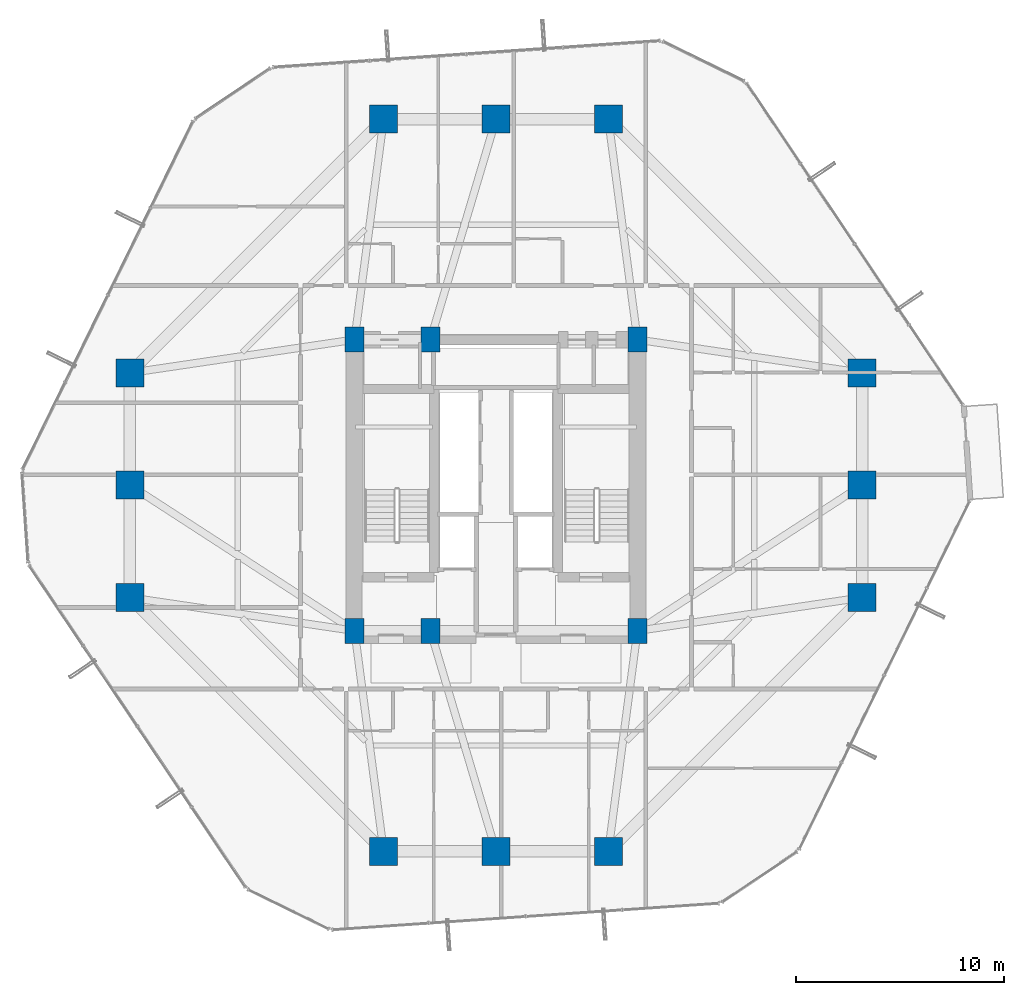
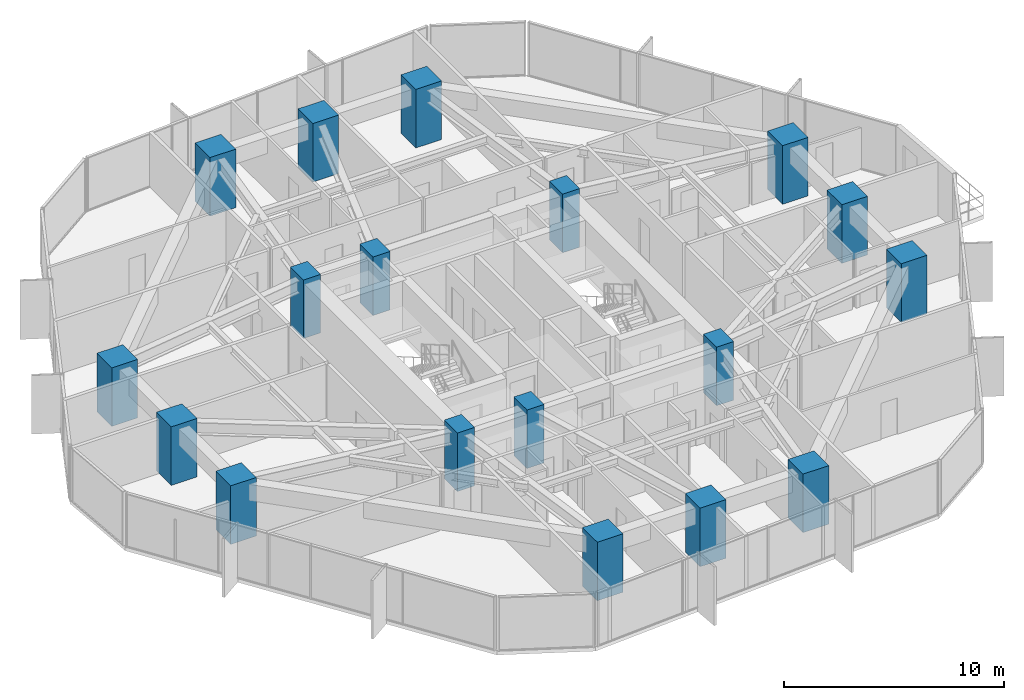
# One storey, part 1 of 37: 18 columns.
"""IFC4 building model written with IfcOpenShell, lengths in metres."""

import ifcopenshell
import ifcopenshell.guid

model = None  # the IFC model being written
_history = None  # IfcOwnerHistory: only IFC2X3 demands one
_inside = {}  # id of a spatial element -> (the spatial element, [elements in it])
_under = {}  # id of a project, library or spatial element -> (it, [spatial elements below it])
_declared = {}  # id of a project -> (the project, [libraries it declares])
_typed = {}  # id of a type object -> (the type object, [elements of that type])
_made_of = {}  # id of a material, layer set ... -> (it, [elements and type objects made of it])


def new_model(schema):
    """Start an empty IFC model of exactly this schema.

    Asked for "IFC4X3", IfcOpenShell would pick the latest addendum, in which some entities
    have other attributes; the version numbers below select the first issue.
    IFC2X3 requires an IfcOwnerHistory on every rooted entity: one is made here for all.
    """
    global model, _history
    if schema == "IFC4X3":
        model = ifcopenshell.file(schema_version=(4, 3, 0, 0))
    else:
        model = ifcopenshell.file(schema=schema)
    _inside.clear()
    _under.clear()
    _declared.clear()
    _typed.clear()
    _made_of.clear()
    _history = None
    if model.schema == "IFC2X3":
        org = make("IfcOrganization", Name="unknown")
        user = make(
            "IfcPersonAndOrganization",
            ThePerson=make("IfcPerson", FamilyName="unknown"),
            TheOrganization=org,
        )
        app = make(
            "IfcApplication",
            ApplicationDeveloper=org,
            Version="unknown",
            ApplicationFullName="unknown",
            ApplicationIdentifier="unknown",
        )
        _history = make(
            "IfcOwnerHistory",
            OwningUser=user,
            OwningApplication=app,
            ChangeAction="ADDED",
            CreationDate=0,
        )
    return model


def make(cls, **values):
    """One entity of the class cls with the attributes given. An attribute that is None is left unset."""
    return model.create_entity(
        cls, **{name: value for name, value in values.items() if value is not None}
    )


def rooted(cls, **values):
    """An entity with a GlobalId (a new one), such as an element, a storey or a relation."""
    return make(cls, GlobalId=ifcopenshell.guid.new(), OwnerHistory=_history, **values)


def si_unit(unit_type, name, prefix=None):
    """IfcSIUnit, for example si_unit("LENGTHUNIT", "METRE", prefix="MILLI")."""
    return make("IfcSIUnit", UnitType=unit_type, Prefix=prefix, Name=name)


def assignment(units):
    """IfcUnitAssignment: the units of a project."""
    return None if units is None else make("IfcUnitAssignment", Units=units)


def point(xyz):
    """IfcCartesianPoint."""
    return None if xyz is None else make("IfcCartesianPoint", Coordinates=xyz)


def direction(xyz):
    """IfcDirection."""
    return None if xyz is None else make("IfcDirection", DirectionRatios=xyz)


def frame(location, z_axis=None, x_axis=None):
    """IfcAxis2Placement3D, a coordinate frame: its origin and axes. An axis left out is left unset."""
    return make(
        "IfcAxis2Placement3D",
        Location=point(location),
        Axis=direction(z_axis),
        RefDirection=direction(x_axis),
    )


def frame_2d(location, x_axis=None):
    """IfcAxis2Placement2D, a coordinate frame in the plane: its origin and x axis."""
    return make(
        "IfcAxis2Placement2D", Location=point(location), RefDirection=direction(x_axis)
    )


def origin():
    """The frame at (0, 0, 0) with its axes left unset."""
    return frame((0.0, 0.0, 0.0))


def origin_2d():
    """The frame at (0, 0) in the plane with its x axis left unset."""
    return frame_2d((0.0, 0.0))


def place(relative_to, where):
    """IfcLocalPlacement: puts the frame where relative to a parent placement (None: the world)."""
    return make(
        "IfcLocalPlacement", PlacementRelTo=relative_to, RelativePlacement=where
    )


def context(
    kind, dimensions, precision=None, world=None, true_north=None, identifier=None
):
    """IfcGeometricRepresentationContext, for example the 3D "Model" context."""
    return make(
        "IfcGeometricRepresentationContext",
        ContextIdentifier=identifier,
        ContextType=kind,
        CoordinateSpaceDimension=dimensions,
        Precision=precision,
        WorldCoordinateSystem=world,
        TrueNorth=true_north,
    )


def subcontext(parent, identifier, kind, view, scale=None):
    """IfcGeometricRepresentationSubContext, for example "Body" below "Model"."""
    return make(
        "IfcGeometricRepresentationSubContext",
        ContextIdentifier=identifier,
        ContextType=kind,
        ParentContext=parent,
        TargetScale=scale,
        TargetView=view,
    )


def project(units=None, contexts=None):
    """IfcProject with its units and contexts."""
    return rooted(
        "IfcProject",
        Name="project",
        RepresentationContexts=contexts,
        UnitsInContext=assignment(units),
    )


def spatial(cls, under=None, at=None, **own):
    """A site, building, storey or space (cls), placed at a placement, below another one or the project."""
    s = rooted(cls, ObjectPlacement=at, **own)
    if under is not None:
        _under.setdefault(under.id(), (under, []))[1].append(s)
    return s


def profile(cls, at=None, kind="AREA", **sizes):
    """A parametric profile (cls). Its sizes go by their IFC names, for example OverallWidth=200.0."""
    return make(cls, ProfileType=kind, Position=at, **sizes)


def rectangle(**sizes):
    """IfcRectangleProfileDef."""
    return profile("IfcRectangleProfileDef", **sizes)


def extrude(swept, where, along, depth):
    """IfcExtrudedAreaSolid: the profile swept, set in the frame where, extruded along a direction by depth."""
    return make(
        "IfcExtrudedAreaSolid",
        SweptArea=swept,
        Position=where,
        ExtrudedDirection=direction(along),
        Depth=depth,
    )


def shape(context_of_items, identifier, shape_type, items):
    """IfcShapeRepresentation: the items that make up one representation, for example the "Body"."""
    return make(
        "IfcShapeRepresentation",
        ContextOfItems=context_of_items,
        RepresentationIdentifier=identifier,
        RepresentationType=shape_type,
        Items=items,
    )


def material(Name=None, Category=None):
    """IfcMaterial."""
    return make("IfcMaterial", Name=Name, Category=Category)


def material_profile(
    of_material, cross_section, Name=None, Category=None, Priority=None
):
    """IfcMaterialProfile: a cross section and its material."""
    return make(
        "IfcMaterialProfile",
        Name=Name,
        Material=of_material,
        Profile=cross_section,
        Priority=Priority,
        Category=Category,
    )


def profile_set(profiles, Name=None, composite=None):
    """IfcMaterialProfileSet."""
    return make(
        "IfcMaterialProfileSet",
        Name=Name,
        MaterialProfiles=profiles,
        CompositeProfile=composite,
    )


def made_of(thing, what):
    """Note that an element or type object is made of a material, layer set ...; save() writes the relation."""
    if what is not None:
        _made_of.setdefault(what.id(), (what, []))[1].append(thing)
    return thing


def type_object(cls, material=None, **own):
    """A type object (cls), such as IfcWallType, which elements share."""
    return made_of(rooted(cls, **own), material)


def element(
    cls,
    number,
    at=None,
    inside=None,
    cuts=None,
    type_object=None,
    material=None,
    context=None,
    identifier="Body",
    shape_type=None,
    held_by="IfcProductDefinitionShape",
    body=None,
    shapes=None,
    **own,
):
    """One element of the class cls, such as IfcWall. Its Tag is "e" and its number.

    at: its placement. inside: the storey or other place that contains it. cuts: it is an
    opening in that element (IfcRelVoidsElement). A single representation is given by context,
    identifier, shape_type and body (its items); several are given by shapes. held_by: the class
    of the entity that holds the representations. save() writes the other relations.
    """
    e = rooted(cls, Tag="e%d" % number, ObjectPlacement=at, **own)
    if body is not None:
        shapes = [shape(context, identifier, shape_type, body)]
    if shapes is not None:
        e.Representation = make(held_by, Representations=shapes)
    if inside is not None:
        _inside.setdefault(inside.id(), (inside, []))[1].append(e)
    if cuts is not None:
        rooted(
            "IfcRelVoidsElement", RelatingBuildingElement=cuts, RelatedOpeningElement=e
        )
    if type_object is not None:
        _typed.setdefault(type_object.id(), (type_object, []))[1].append(e)
    return made_of(e, material)


def aggregate(whole, parts):
    """IfcRelAggregates: a whole, such as a stair, and the parts it consists of."""
    return rooted("IfcRelAggregates", RelatingObject=whole, RelatedObjects=parts)


def save(model, path):
    """Write the relations noted so far, then the file.

    IfcRelAggregates (storeys below a building ...), IfcRelContainedInSpatialStructure (elements
    in a storey), IfcRelDefinesByType, IfcRelAssociatesMaterial and IfcRelDeclares: one each for
    every whole, place, type object, material and project.
    """
    for whole, parts in _under.values():
        aggregate(whole, parts)
    for where, things in _inside.values():
        rooted(
            "IfcRelContainedInSpatialStructure",
            RelatedElements=things,
            RelatingStructure=where,
        )
    for kind, things in _typed.values():
        rooted("IfcRelDefinesByType", RelatedObjects=things, RelatingType=kind)
    for what, things in _made_of.values():
        rooted("IfcRelAssociatesMaterial", RelatedObjects=things, RelatingMaterial=what)
    for by, libraries in _declared.values():
        rooted("IfcRelDeclares", RelatingContext=by, RelatedDefinitions=libraries)
    model.write(path)


model = new_model("IFC4")

# Units and contexts
model_context = context("Model", 3, precision=1e-05, world=origin(), true_north=direction((0.0, 1.0)))
body_context = subcontext(model_context, "Body", "Model", "MODEL_VIEW")
ifc_project = project(units=[si_unit("LENGTHUNIT", "METRE"), si_unit("AREAUNIT", "SQUARE_METRE"), si_unit("VOLUMEUNIT", "CUBIC_METRE"), si_unit("PLANEANGLEUNIT", "RADIAN"), si_unit("MASSUNIT", "GRAM", prefix="KILO")], contexts=[model_context])

# Site, building, storey
site_placement = place(None, origin())
site = spatial("IfcSite", under=ifc_project, at=site_placement, CompositionType="ELEMENT")
building_placement = place(site_placement, origin())
building = spatial("IfcBuilding", under=site, at=building_placement, Name="Veraguas Prism Commons", CompositionType="ELEMENT")
storey_placement = place(building_placement, frame((0.0, 0.0, 37.050048828125)))
storey = spatial("IfcBuildingStorey", under=building, at=storey_placement, Name="L09", CompositionType="ELEMENT", Elevation=37.050048828125)

# Columns
ifc_material = material(Name="Concrete C60/75", Category="concrete")
ifc_material_profile_1 = material_profile(ifc_material, rectangle(XDim=1.35009765625, YDim=1.35009765625, at=origin_2d()), Name="RC1350X1350")
ifc_profile_set_1 = profile_set([ifc_material_profile_1], Name="Concrete C60/75")
column_type_1 = type_object("IfcColumnType", Name="Column Tube Z1 RC 1350x1350", PredefinedType="COLUMN", material=ifc_profile_set_1)
for number, where, z_axis, x_axis, name in (
    (1, (41.60009765625, 18.60009765625, 0.0), (0.0, 0.0, 1.0), (1.0, 0.0, 0.0), "Tower Perimeter Column L09-TB01"),
    (2, (41.60009765625, 24.0, 0.0), (0.0, 0.0, 1.0), (1.0, 0.0, 0.0), "Tower Perimeter Column L09-TB02"),
    (3, (41.60009765625, 29.39990234375, 0.0), (0.0, 0.0, 1.0), (1.0, 0.0, 0.0), "Tower Perimeter Column L09-TB03"),
    (4, (29.39990234375, 41.60009765625, 0.0), (0.0, 0.0, 1.0), (1.0, 0.0, 0.0), "Tower Perimeter Column L09-TB04"),
    (5, (24.0, 41.60009765625, 0.0), (0.0, 0.0, 1.0), (1.0, 0.0, 0.0), "Tower Perimeter Column L09-TB05"),
    (6, (18.60009765625, 41.60009765625, 0.0), (0.0, 0.0, 1.0), (1.0, 0.0, 0.0), "Tower Perimeter Column L09-TB06"),
    (7, (6.39990234375, 29.39990234375, 0.0), (0.0, 0.0, 1.0), (1.0, 0.0, 0.0), "Tower Perimeter Column L09-TB07"),
    (8, (6.39990234375, 24.0, 0.0), (0.0, 0.0, 1.0), (1.0, 0.0, 0.0), "Tower Perimeter Column L09-TB08"),
    (9, (6.39990234375, 18.60009765625, 0.0), (0.0, 0.0, 1.0), (1.0, 0.0, 0.0), "Tower Perimeter Column L09-TB09"),
    (10, (18.60009765625, 6.39990234375, 0.0), (0.0, 0.0, 1.0), (1.0, 0.0, 0.0), "Tower Perimeter Column L09-TB10"),
    (11, (24.0, 6.39990234375, 0.0), (0.0, 0.0, 1.0), (1.0, 0.0, 0.0), "Tower Perimeter Column L09-TB11"),
    (12, (29.39990234375, 6.39990234375, 0.0), (0.0, 0.0, 1.0), (1.0, 0.0, 0.0), "Tower Perimeter Column L09-TB12"),
):
    element("IfcColumn", number, at=place(storey_placement, frame(where, z_axis=z_axis, x_axis=x_axis)), inside=storey, type_object=column_type_1, Name=name, PredefinedType="COLUMN", context=body_context, shape_type="SweptSolid", body=[
        extrude(rectangle(XDim=1.35009765625, YDim=1.35009765625, at=origin_2d()), origin(), (0.0, 0.0, 1.0), 3.25),
    ])
ifc_material_profile_2 = material_profile(ifc_material, rectangle(XDim=0.89990234375, YDim=1.199951171875, at=origin_2d()), Name="RC900X1200")
ifc_profile_set_2 = profile_set([ifc_material_profile_2], Name="Concrete C60/75")
column_type_2 = type_object("IfcColumnType", Name="Pilaster Core Lower RC 900x1200", PredefinedType="PILASTER", material=ifc_profile_set_2)
for number, where, z_axis, x_axis, name in (
    (13, (17.199951171875, 17.0, 0.0), (0.0, 0.0, 1.0), (1.0, 0.0, 0.0), "Core Pilaster Column L09-CR1"),
    (14, (20.85009765625, 17.0, 0.0), (0.0, 0.0, 1.0), (1.0, 0.0, 0.0), "Core Pilaster Column L09-CR2"),
    (15, (30.800048828125, 17.0, 0.0), (0.0, 0.0, 1.0), (1.0, 0.0, 0.0), "Core Pilaster Column L09-CR3"),
    (16, (17.199951171875, 31.0, 0.0), (0.0, 0.0, 1.0), (1.0, 0.0, 0.0), "Core Pilaster Column L09-CR4"),
    (17, (20.85009765625, 31.0, 0.0), (0.0, 0.0, 1.0), (1.0, 0.0, 0.0), "Core Pilaster Column L09-CR5"),
    (18, (30.800048828125, 31.0, 0.0), (0.0, 0.0, 1.0), (1.0, 0.0, 0.0), "Core Pilaster Column L09-CR6"),
):
    element("IfcColumn", number, at=place(storey_placement, frame(where, z_axis=z_axis, x_axis=x_axis)), inside=storey, type_object=column_type_2, Name=name, PredefinedType="PILASTER", context=body_context, shape_type="SweptSolid", body=[
        extrude(rectangle(XDim=0.89990234375, YDim=1.199951171875, at=origin_2d()), origin(), (0.0, 0.0, 1.0), 3.25),
    ])

save(model, "model.ifc")
